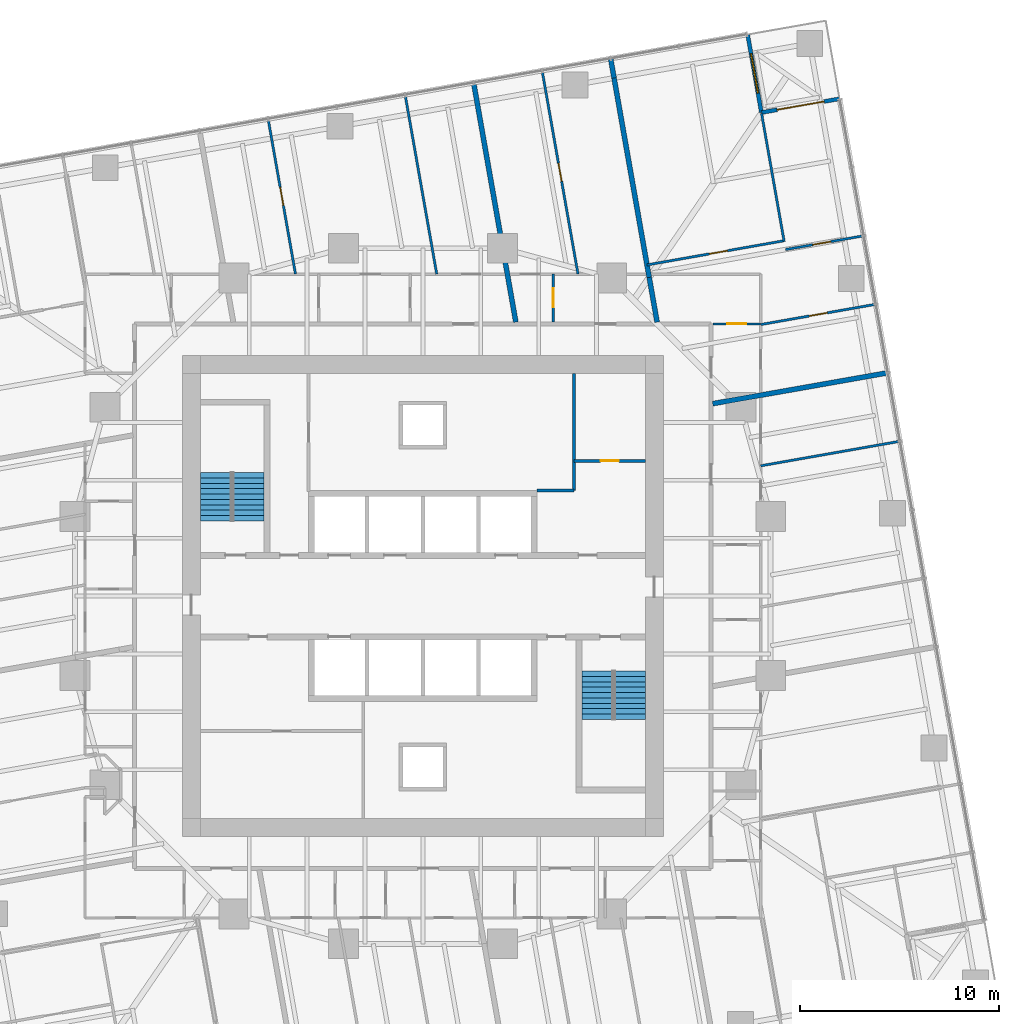
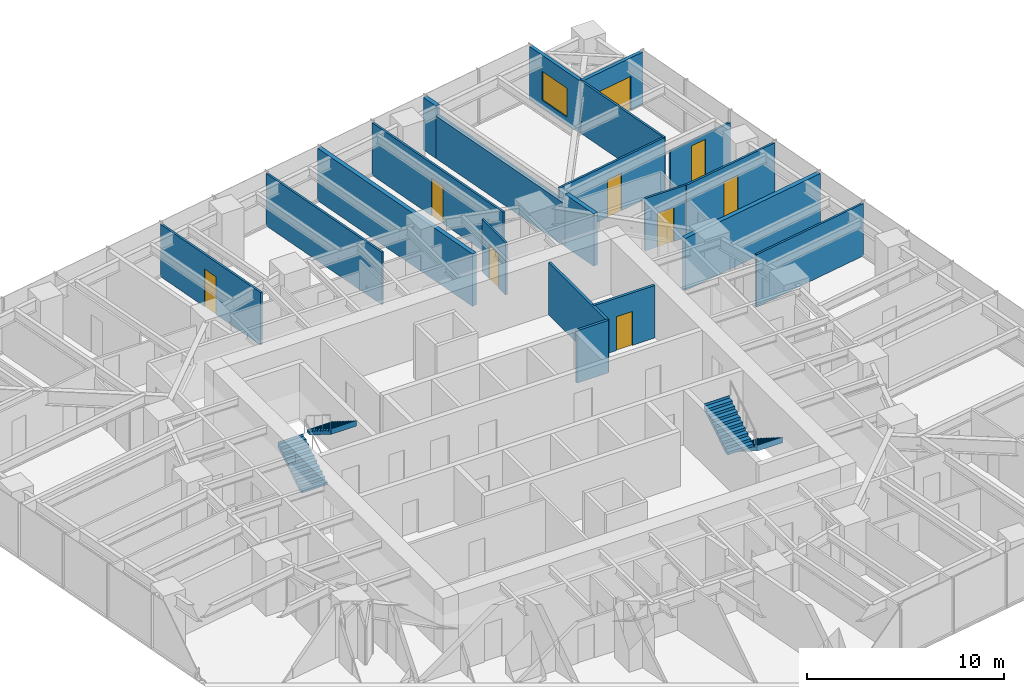
# One storey, part 13 of 14: 20 walls, 9 doors, 4 stair flights, 1 window, 10 openings, 2 elements without a shape of their own.
"""IFC4 building model written with IfcOpenShell, lengths in metres."""

from ifc_helpers import new_model, si_unit, direction, frame, frame_2d, origin, place, context, subcontext, project, spatial, polyline, rectangle, outline, extrude, material, layer, layer_set, type_object, element, fill, aggregate, save


model = new_model("IFC4")

# Units and contexts
model_context = context("Model", 3, precision=1e-05, world=origin(), true_north=direction((0.0, 1.0)))
body_context = subcontext(model_context, "Body", "Model", "MODEL_VIEW")
ifc_project = project(units=[si_unit("LENGTHUNIT", "METRE"), si_unit("AREAUNIT", "SQUARE_METRE"), si_unit("VOLUMEUNIT", "CUBIC_METRE"), si_unit("PLANEANGLEUNIT", "RADIAN"), si_unit("MASSUNIT", "GRAM", prefix="KILO")], contexts=[model_context])

# Site, building, storey
site_placement = place(None, origin())
site = spatial("IfcSite", under=ifc_project, at=site_placement, CompositionType="ELEMENT")
building_placement = place(site_placement, origin())
building = spatial("IfcBuilding", under=site, at=building_placement, Name="Torsade Residences", CompositionType="ELEMENT")
storey_placement = place(building_placement, frame((0.0, 0.0, 89.60009765625)))
storey = spatial("IfcBuildingStorey", under=building, at=storey_placement, Name="L24", CompositionType="ELEMENT", Elevation=89.60009765625)

# Wall
ifc_material_1 = material(Name="Plasterboard on steel stud", Category="steel")
ifc_layer_1 = layer(ifc_material_1, 0.1201171875)
ifc_layer_set_1 = layer_set([ifc_layer_1], Name="Plasterboard on steel stud")
wall_type_1 = type_object("IfcWallType", Name="PARTITION 120", PredefinedType="PARTITIONING", material=ifc_layer_set_1)
wall_1_placement = place(storey_placement, frame((57.0, 36.551513671875, 0.0), z_axis=(0.0, 0.0, 1.0), x_axis=(0.984809234282, 0.173639776761, 0.0)))
element("IfcWall", 1, at=wall_1_placement, inside=storey, type_object=wall_type_1, Name="Partition L24", PredefinedType="PARTITIONING", context=body_context, shape_type="SweptSolid", body=[
    extrude(rectangle(XDim=7.080810546875, YDim=0.1201171875, at=frame_2d((3.54052734375, 0.0))), origin(), (0.0, 0.0, 1.0), 3.25),
])

# Wall, opening, door
wall_2_placement = place(storey_placement, frame((54.60009765625, 43.68896484375, 0.0), z_axis=(0.0, 0.0, 1.0), x_axis=(1.0, 0.0, 0.0)))
wall_2 = element("IfcWall", 2, at=wall_2_placement, inside=storey, type_object=wall_type_1, Name="Partition L24", PredefinedType="PARTITIONING", context=body_context, shape_type="SweptSolid", body=[
    extrude(rectangle(XDim=2.39990234375, YDim=0.1201171875, at=frame_2d((1.199951171875, 0.0))), origin(), (0.0, 0.0, 1.0), 3.25),
])
opening_1_placement = place(wall_2_placement, frame((0.719970703125, 0.0, 0.0)))
opening_1 = element("IfcOpeningElement", 3, at=opening_1_placement, cuts=wall_2, Name="Opening D05", PredefinedType="OPENING", context=body_context, shape_type="SweptSolid", body=[
    extrude(rectangle(XDim=0.9599609375, YDim=2.10009765625, at=frame_2d((0.47998046875, 1.050048828125))), frame((0.0, 0.070068359375, 0.0), z_axis=(0.0, -1.0, 0.0), x_axis=(1.0, 0.0, 0.0)), (0.0, 0.0, 1.0), 0.14013671875),
])
ifc_material_2 = material(Name="Hollow-core timber door in a steel cavity frame", Category="steel")
door_type_1 = type_object("IfcDoorType", Name="BATHROOM CAVITY SLIDING DOOR 960", OperationType="SLIDING_TO_LEFT", PredefinedType="DOOR", material=ifc_material_2)
door_1_placement = place(opening_1_placement, origin())
door_1 = element("IfcDoor", 4, at=door_1_placement, inside=storey, type_object=door_type_1, Name="Door Kitchen and dining to Bathroom", OperationType="SLIDING_TO_LEFT", OverallHeight=2.10009765625, OverallWidth=0.9599609375, PredefinedType="DOOR", context=body_context, shape_type="SweptSolid", body=[
    extrude(rectangle(XDim=0.9599609375, YDim=2.10009765625, at=frame_2d((0.47998046875, 1.050048828125))), frame((0.0, 0.02490234375, 0.0), z_axis=(0.0, -1.0, 0.0), x_axis=(1.0, 0.0, 0.0)), (0.0, 0.0, 1.0), 0.050048828125),
])
fill(opening_1, door_1)

# Wall
wall_3_placement = place(storey_placement, frame((57.041259765625, 54.2880859375, 0.0), z_axis=(0.0, 0.0, 1.0), x_axis=(0.173657751636, -0.984806064815, 0.0)))
element("IfcWall", 5, at=wall_3_placement, inside=storey, type_object=wall_type_1, Name="Partition L24", PredefinedType="PARTITIONING", context=body_context, shape_type="SweptSolid", body=[
    extrude(rectangle(XDim=6.550048828125, YDim=0.1201171875, at=frame_2d((3.27490234375, 0.0))), origin(), (0.0, 0.0, 1.0), 3.25),
])

# Wall, opening, door
wall_4_placement = place(storey_placement, frame((58.171630859375, 47.877197265625, 0.0), z_axis=(0.0, 0.0, 1.0), x_axis=(-0.984806372973, -0.173656004074, 0.0)))
wall_4 = element("IfcWall", 6, at=wall_4_placement, inside=storey, type_object=wall_type_1, Name="Partition L24", PredefinedType="PARTITIONING", context=body_context, shape_type="SweptSolid", body=[
    extrude(rectangle(XDim=7.0, YDim=0.1201171875, at=frame_2d((3.5, 0.0))), origin(), (0.0, 0.0, 1.0), 3.25),
])
opening_2_placement = place(wall_4_placement, frame((2.889892578125, 0.0, 0.0)))
opening_2 = element("IfcOpeningElement", 7, at=opening_2_placement, cuts=wall_4, Name="Opening D02", PredefinedType="OPENING", context=body_context, shape_type="SweptSolid", body=[
    extrude(rectangle(XDim=0.919921875, YDim=2.340087890625, at=frame_2d((0.4599609375, 1.169921875))), frame((0.0, 0.070068359375, 0.0), z_axis=(0.0, -1.0, 0.0), x_axis=(1.0, 0.0, 0.0)), (0.0, 0.0, 1.0), 0.14013671875),
])
ifc_material_3 = material(Name="Hollow-core timber door", Category="wood")
door_type_2 = type_object("IfcDoorType", Name="INTERNAL DOOR 920x2340", OperationType="NOTDEFINED", PredefinedType="DOOR", material=ifc_material_3)
door_2_placement = place(opening_2_placement, origin())
door_2 = element("IfcDoor", 8, at=door_2_placement, inside=storey, type_object=door_type_2, Name="Door Bedroom 2 to Living room", OperationType="SINGLE_SWING_RIGHT", OverallHeight=2.340087890625, OverallWidth=0.919921875, PredefinedType="DOOR", context=body_context, shape_type="SweptSolid", body=[
    extrude(rectangle(XDim=0.919921875, YDim=2.340087890625, at=frame_2d((0.4599609375, 1.169921875))), frame((0.0, 0.02490234375, 0.0), z_axis=(0.0, -1.0, 0.0), x_axis=(1.0, 0.0, 0.0)), (0.0, 0.0, 1.0), 0.050048828125),
])
fill(opening_2, door_2)

wall_5_placement = place(storey_placement, frame((62.149658203125, 48.12158203125, 0.0), z_axis=(0.0, 0.0, 1.0), x_axis=(-0.984804033163, -0.173669272657, 0.0)))
wall_5 = element("IfcWall", 9, at=wall_5_placement, inside=storey, type_object=wall_type_1, Name="Partition L24", PredefinedType="PARTITIONING", context=body_context, shape_type="SweptSolid", body=[
    extrude(rectangle(XDim=3.9599609375, YDim=0.1201171875, at=frame_2d((1.97998046875, 0.0))), origin(), (0.0, 0.0, 1.0), 2.637939453125),
])
opening_3_placement = place(wall_5_placement, frame((1.64990234375, 0.0, 0.0)))
opening_3 = element("IfcOpeningElement", 10, at=opening_3_placement, cuts=wall_5, Name="Opening D02", PredefinedType="OPENING", context=body_context, shape_type="SweptSolid", body=[
    extrude(rectangle(XDim=0.919921875, YDim=2.340087890625, at=frame_2d((0.4599609375, 1.169921875))), frame((0.0, 0.070068359375, 0.0), z_axis=(0.0, -1.0, 0.0), x_axis=(1.0, 0.0, 0.0)), (0.0, 0.0, 1.0), 0.14013671875),
])
door_3_placement = place(opening_3_placement, origin())
door_3 = element("IfcDoor", 11, at=door_3_placement, inside=storey, type_object=door_type_2, Name="Door Bedroom 2 to Bedroom 1", OperationType="SINGLE_SWING_LEFT", OverallHeight=2.340087890625, OverallWidth=0.919921875, PredefinedType="DOOR", context=body_context, shape_type="SweptSolid", body=[
    extrude(rectangle(XDim=0.919921875, YDim=2.340087890625, at=frame_2d((0.4599609375, 1.169921875))), frame((0.0, 0.02490234375, 0.0), z_axis=(0.0, -1.0, 0.0), x_axis=(1.0, 0.0, 0.0)), (0.0, 0.0, 1.0), 0.050048828125),
])
fill(opening_3, door_3)

wall_6_placement = place(storey_placement, frame((62.757568359375, 44.6748046875, 0.0), z_axis=(0.0, 0.0, 1.0), x_axis=(-0.984810032319, -0.173635250578, 0.0)))
wall_6 = element("IfcWall", 12, at=wall_6_placement, inside=storey, type_object=wall_type_1, Name="Partition L24", PredefinedType="PARTITIONING", context=body_context, shape_type="SweptSolid", body=[
    extrude(rectangle(XDim=5.846435546875, YDim=0.1201171875, at=frame_2d((2.92333984375, 0.0))), origin(), (0.0, 0.0, 1.0), 3.25),
])
opening_4_placement = place(wall_6_placement, frame((2.443115234375, 0.0, 0.0)))
opening_4 = element("IfcOpeningElement", 13, at=opening_4_placement, cuts=wall_6, Name="Opening D02", PredefinedType="OPENING", context=body_context, shape_type="SweptSolid", body=[
    extrude(rectangle(XDim=0.919921875, YDim=2.340087890625, at=frame_2d((0.4599609375, 1.169921875))), frame((0.0, 0.070068359375, 0.0), z_axis=(0.0, -1.0, 0.0), x_axis=(1.0, 0.0, 0.0)), (0.0, 0.0, 1.0), 0.14013671875),
])
door_4_placement = place(opening_4_placement, origin())
door_4 = element("IfcDoor", 14, at=door_4_placement, inside=storey, type_object=door_type_2, Name="Door Study to Bedroom 2", OperationType="SINGLE_SWING_RIGHT", OverallHeight=2.340087890625, OverallWidth=0.919921875, PredefinedType="DOOR", context=body_context, shape_type="SweptSolid", body=[
    extrude(rectangle(XDim=0.919921875, YDim=2.340087890625, at=frame_2d((0.4599609375, 1.169921875))), frame((0.0, 0.02490234375, 0.0), z_axis=(0.0, -1.0, 0.0), x_axis=(1.0, 0.0, 0.0)), (0.0, 0.0, 1.0), 0.050048828125),
])
fill(opening_4, door_4)

wall_7_placement = place(storey_placement, frame((46.5673828125, 43.800048828125, 0.0), z_axis=(0.0, 0.0, 1.0), x_axis=(0.0, 1.0, 0.0)))
wall_7 = element("IfcWall", 15, at=wall_7_placement, inside=storey, type_object=wall_type_1, Name="Partition L24", PredefinedType="PARTITIONING", context=body_context, shape_type="SweptSolid", body=[
    extrude(rectangle(XDim=2.39990234375, YDim=0.1201171875, at=frame_2d((1.199951171875, 0.0))), origin(), (0.0, 0.0, 1.0), 3.25),
])
opening_5_placement = place(wall_7_placement, frame((0.719970703125, 0.0, 0.0)))
opening_5 = element("IfcOpeningElement", 16, at=opening_5_placement, cuts=wall_7, Name="Opening D05", PredefinedType="OPENING", context=body_context, shape_type="SweptSolid", body=[
    extrude(rectangle(XDim=0.9599609375, YDim=2.10009765625, at=frame_2d((0.47998046875, 1.050048828125))), frame((0.0, 0.070068359375, 0.0), z_axis=(0.0, -1.0, 0.0), x_axis=(1.0, 0.0, 0.0)), (0.0, 0.0, 1.0), 0.14013671875),
])
door_5_placement = place(opening_5_placement, origin())
door_5 = element("IfcDoor", 17, at=door_5_placement, inside=storey, type_object=door_type_1, Name="Door Kitchen and dining to Bathroom", OperationType="SLIDING_TO_LEFT", OverallHeight=2.10009765625, OverallWidth=0.9599609375, PredefinedType="DOOR", context=body_context, shape_type="SweptSolid", body=[
    extrude(rectangle(XDim=0.9599609375, YDim=2.10009765625, at=frame_2d((0.47998046875, 1.050048828125))), frame((0.0, 0.02490234375, 0.0), z_axis=(0.0, -1.0, 0.0), x_axis=(1.0, 0.0, 0.0)), (0.0, 0.0, 1.0), 0.050048828125),
])
fill(opening_5, door_5)

wall_8_placement = place(storey_placement, frame((47.805419921875, 46.199951171875, 0.0), z_axis=(0.0, 0.0, 1.0), x_axis=(-0.173653605279, 0.984806795962, 0.0)))
wall_8 = element("IfcWall", 18, at=wall_8_placement, inside=storey, type_object=wall_type_1, Name="Partition L24", PredefinedType="PARTITIONING", context=body_context, shape_type="SweptSolid", body=[
    extrude(rectangle(XDim=10.361572265625, YDim=0.1201171875, at=frame_2d((5.1806640625, 0.0))), origin(), (0.0, 0.0, 1.0), 3.25),
])
opening_6_placement = place(wall_8_placement, frame((4.74072265625, 0.0, 0.0)))
opening_6 = element("IfcOpeningElement", 19, at=opening_6_placement, cuts=wall_8, Name="Opening D02", PredefinedType="OPENING", context=body_context, shape_type="SweptSolid", body=[
    extrude(rectangle(XDim=0.919921875, YDim=2.340087890625, at=frame_2d((0.4599609375, 1.169921875))), frame((0.0, 0.070068359375, 0.0), z_axis=(0.0, -1.0, 0.0), x_axis=(1.0, 0.0, 0.0)), (0.0, 0.0, 1.0), 0.14013671875),
])
door_6_placement = place(opening_6_placement, origin())
door_6 = element("IfcDoor", 20, at=door_6_placement, inside=storey, type_object=door_type_2, Name="Door Bedroom 1 to Living room", OperationType="SINGLE_SWING_LEFT", OverallHeight=2.340087890625, OverallWidth=0.919921875, PredefinedType="DOOR", context=body_context, shape_type="SweptSolid", body=[
    extrude(rectangle(XDim=0.919921875, YDim=2.340087890625, at=frame_2d((0.4599609375, 1.169921875))), frame((0.0, 0.02490234375, 0.0), z_axis=(0.0, -1.0, 0.0), x_axis=(1.0, 0.0, 0.0)), (0.0, 0.0, 1.0), 0.050048828125),
])
fill(opening_6, door_6)

# Wall
wall_9_placement = place(storey_placement, frame((39.112548828125, 55.1884765625, 0.0), z_axis=(0.0, 0.0, 1.0), x_axis=(0.173652576186, -0.984806977424, 0.0)))
element("IfcWall", 21, at=wall_9_placement, inside=storey, type_object=wall_type_1, Name="Partition L24", PredefinedType="PARTITIONING", context=body_context, shape_type="SweptSolid", body=[
    extrude(rectangle(XDim=9.127197265625, YDim=0.1201171875, at=frame_2d((4.5634765625, 0.0))), origin(), (0.0, 0.0, 1.0), 3.25),
])

# Wall, opening, door
wall_10_placement = place(storey_placement, frame((33.589599609375, 46.199951171875, 0.0), z_axis=(0.0, 0.0, 1.0), x_axis=(-0.173645935638, 0.98480814834, 0.0)))
wall_10 = element("IfcWall", 22, at=wall_10_placement, inside=storey, type_object=wall_type_1, Name="Partition L24", PredefinedType="PARTITIONING", context=body_context, shape_type="SweptSolid", body=[
    extrude(rectangle(XDim=7.89306640625, YDim=0.1201171875, at=frame_2d((3.946533203125, 0.0))), origin(), (0.0, 0.0, 1.0), 3.25),
])
opening_7_placement = place(wall_10_placement, frame((3.506591796875, 0.0, 0.0)))
opening_7 = element("IfcOpeningElement", 23, at=opening_7_placement, cuts=wall_10, Name="Opening D02", PredefinedType="OPENING", context=body_context, shape_type="SweptSolid", body=[
    extrude(rectangle(XDim=0.919921875, YDim=2.340087890625, at=frame_2d((0.4599609375, 1.169921875))), frame((0.0, 0.070068359375, 0.0), z_axis=(0.0, -1.0, 0.0), x_axis=(1.0, 0.0, 0.0)), (0.0, 0.0, 1.0), 0.14013671875),
])
door_7_placement = place(opening_7_placement, origin())
door_7 = element("IfcDoor", 24, at=door_7_placement, inside=storey, type_object=door_type_2, Name="Door Living room to Bedroom 2", OperationType="SINGLE_SWING_RIGHT", OverallHeight=2.340087890625, OverallWidth=0.919921875, PredefinedType="DOOR", context=body_context, shape_type="SweptSolid", body=[
    extrude(rectangle(XDim=0.919921875, YDim=2.340087890625, at=frame_2d((0.4599609375, 1.169921875))), frame((0.0, 0.02490234375, 0.0), z_axis=(0.0, -1.0, 0.0), x_axis=(1.0, 0.0, 0.0)), (0.0, 0.0, 1.0), 0.050048828125),
])
fill(opening_7, door_7)

# Walls
ifc_material_4 = material(Name="Masonry-lined stud party wall", Category="masonry")
ifc_layer_2 = layer(ifc_material_4, 0.25)
ifc_layer_set_2 = layer_set([ifc_layer_2], Name="Masonry-lined stud party wall")
wall_type_2 = type_object("IfcWallType", Name="PARTY WALL 250", PredefinedType="PARTITIONING", material=ifc_layer_set_2)
wall_11_placement = place(storey_placement, frame((63.404541015625, 41.23486328125, 0.0), z_axis=(0.0, 0.0, 1.0), x_axis=(-0.984806596137, -0.173654738504, 0.0)))
element("IfcWall", 25, at=wall_11_placement, inside=storey, type_object=wall_type_2, Name="Party wall L24", PredefinedType="PARTITIONING", context=body_context, shape_type="SweptSolid", body=[
    extrude(rectangle(XDim=8.958251953125, YDim=0.25, at=frame_2d((4.47900390625, 0.0))), origin(), (0.0, 0.0, 1.0), 3.25),
])
wall_12_placement = place(storey_placement, frame((42.552490234375, 55.835693359375, 0.0), z_axis=(0.0, 0.0, 1.0), x_axis=(0.173639677872, -0.984809251718, 0.0)))
element("IfcWall", 26, at=wall_12_placement, inside=storey, type_object=wall_type_2, Name="Party wall L24", PredefinedType="PARTITIONING", context=body_context, shape_type="SweptSolid", body=[
    extrude(rectangle(XDim=12.239501953125, YDim=0.25, at=frame_2d((6.11962890625, 0.0))), origin(), (0.0, 0.0, 1.0), 3.25),
])
wall_13_placement = place(storey_placement, frame((49.446044921875, 57.05126953125, 0.0), z_axis=(0.0, 0.0, 1.0), x_axis=(0.173813186416, -0.984778643263, 0.0)))
element("IfcWall", 27, at=wall_13_placement, inside=storey, type_object=wall_type_2, Name="Party wall L24", PredefinedType="PARTITIONING", context=body_context, shape_type="SweptSolid", body=[
    extrude(rectangle(XDim=1.0, YDim=0.25, at=frame_2d((0.5, 0.0))), origin(), (0.0, 0.0, 1.0), 3.25),
])
wall_14_placement = place(storey_placement, frame((49.619873046875, 56.06640625, 0.0), z_axis=(0.0, 0.0, 1.0), x_axis=(0.173644522411, -0.984808397525, 0.0)))
element("IfcWall", 28, at=wall_14_placement, inside=storey, type_object=wall_type_2, Name="Party wall L24", PredefinedType="PARTITIONING", context=body_context, shape_type="SweptSolid", body=[
    extrude(rectangle(XDim=10.187744140625, YDim=0.25, at=frame_2d((5.09375, 0.0))), origin(), (0.0, 0.0, 1.0), 2.637939453125),
])
wall_15_placement = place(storey_placement, frame((51.388916015625, 46.033447265625, 0.0), z_axis=(0.0, 0.0, 1.0), x_axis=(0.173657387043, -0.984806129106, 0.0)))
element("IfcWall", 29, at=wall_15_placement, inside=storey, type_object=wall_type_2, Name="Party wall L24", PredefinedType="PARTITIONING", context=body_context, shape_type="SweptSolid", body=[
    extrude(rectangle(XDim=2.285888671875, YDim=0.25, at=frame_2d((1.14306640625, 0.0))), origin(), (0.0, 0.0, 1.0), 3.25),
])
ifc_material_5 = material(Name="Reinforced blockwork", Category="masonry")
ifc_layer_3 = layer(ifc_material_5, 0.14990234375)
ifc_layer_set_3 = layer_set([ifc_layer_3], Name="Reinforced blockwork")
wall_type_3 = type_object("IfcWallType", Name="SERVICE ROOM WALL 150", PredefinedType="SOLIDWALL", material=ifc_layer_set_3)
wall_16_placement = place(storey_placement, frame((47.60009765625, 41.199951171875, 0.0), z_axis=(0.0, 0.0, 1.0), x_axis=(0.0, -1.0, 0.0)))
element("IfcWall", 30, at=wall_16_placement, inside=storey, type_object=wall_type_3, Name="Service room wall L24", PredefinedType="SOLIDWALL", context=body_context, shape_type="SweptSolid", body=[
    extrude(rectangle(XDim=5.89990234375, YDim=0.14990234375, at=frame_2d((2.949951171875, 0.0))), origin(), (0.0, 0.0, 1.0), 3.25),
])
wall_17_placement = place(storey_placement, frame((47.60009765625, 35.300048828125, 0.0), z_axis=(0.0, 0.0, 1.0), x_axis=(-1.0, 0.0, 0.0)))
element("IfcWall", 31, at=wall_17_placement, inside=storey, type_object=wall_type_3, Name="Service room wall L24", PredefinedType="SOLIDWALL", context=body_context, shape_type="SweptSolid", body=[
    extrude(rectangle(XDim=1.85009765625, YDim=0.14990234375, at=frame_2d((0.925048828125, 0.0))), origin(), (0.0, 0.0, 1.0), 3.25),
])

# Wall, opening, door
wall_18_placement = place(storey_placement, frame((47.60009765625, 36.800048828125, 0.0), z_axis=(0.0, 0.0, 1.0), x_axis=(1.0, 0.0, 0.0)))
wall_18 = element("IfcWall", 32, at=wall_18_placement, inside=storey, type_object=wall_type_3, Name="Service room wall L24", PredefinedType="SOLIDWALL", context=body_context, shape_type="SweptSolid", body=[
    extrude(rectangle(XDim=3.599853515625, YDim=0.14990234375, at=frame_2d((1.7998046875, 0.0))), origin(), (0.0, 0.0, 1.0), 3.25),
])
opening_8_placement = place(wall_18_placement, frame((1.340087890625, 0.0, 0.0)))
opening_8 = element("IfcOpeningElement", 33, at=opening_8_placement, cuts=wall_18, Name="Opening D06", PredefinedType="OPENING", context=body_context, shape_type="SweptSolid", body=[
    extrude(rectangle(XDim=0.919921875, YDim=2.10009765625, at=frame_2d((0.4599609375, 1.050048828125))), frame((0.0, 0.0849609375, 0.0), z_axis=(0.0, -1.0, 0.0), x_axis=(1.0, 0.0, 0.0)), (0.0, 0.0, 1.0), 0.169921875),
])
ifc_material_6 = material(Name="Steel-framed fire door", Category="steel")
door_type_3 = type_object("IfcDoorType", Name="FIRE DOOR 920", OperationType="NOTDEFINED", PredefinedType="DOOR", material=ifc_material_6)
door_8_placement = place(opening_8_placement, origin())
door_8 = element("IfcDoor", 34, at=door_8_placement, inside=storey, type_object=door_type_3, Name="Door Refuse room to Recycling room", OperationType="SINGLE_SWING_LEFT", OverallHeight=2.10009765625, OverallWidth=0.919921875, PredefinedType="DOOR", context=body_context, shape_type="SweptSolid", body=[
    extrude(rectangle(XDim=0.919921875, YDim=2.10009765625, at=frame_2d((0.4599609375, 1.050048828125))), frame((0.0, 0.02490234375, 0.0), z_axis=(0.0, -1.0, 0.0), x_axis=(1.0, 0.0, 0.0)), (0.0, 0.0, 1.0), 0.050048828125),
])
fill(opening_8, door_8)

ifc_material_7 = material(Name="Stone-faced precast concrete 40 MPa panel", Category="masonry")
ifc_layer_4 = layer(ifc_material_7, 0.199951171875)
ifc_layer_set_4 = layer_set([ifc_layer_4], Name="Stone-faced precast concrete 40 MPa panel")
wall_type_4 = type_object("IfcWallType", Name="TERRACE WALL 200", PredefinedType="SOLIDWALL", material=ifc_layer_set_4)
wall_19_placement = place(storey_placement, frame((60.9736328125, 55.022216796875, 0.0), z_axis=(0.0, 0.0, 1.0), x_axis=(-0.984808127031, -0.173646056486, 0.0)))
wall_19 = element("IfcWall", 35, at=wall_19_placement, inside=storey, type_object=wall_type_4, Name="Terrace wall L24 5", PredefinedType="SOLIDWALL", context=body_context, shape_type="SweptSolid", body=[
    extrude(rectangle(XDim=4.0, YDim=0.199951171875, at=frame_2d((2.0, 0.0))), origin(), (0.0, 0.0, 1.0), 3.25),
])
opening_9_placement = place(wall_19_placement, frame((0.800048828125, 0.0, 0.0)))
opening_9 = element("IfcOpeningElement", 36, at=opening_9_placement, cuts=wall_19, Name="Opening D10A", PredefinedType="OPENING", context=body_context, shape_type="SweptSolid", body=[
    extrude(rectangle(XDim=2.39990234375, YDim=2.10009765625, at=frame_2d((1.199951171875, 1.050048828125))), frame((0.0, 0.10986328125, 0.0), z_axis=(0.0, -1.0, 0.0), x_axis=(1.0, 0.0, 0.0)), (0.0, 0.0, 1.0), 0.219970703125),
])
ifc_material_8 = material(Name="Aluminium-framed glass door", Category="aluminium")
door_type_4 = type_object("IfcDoorType", Name="TERRACE SLIDING DOOR 2400x2100", OperationType="SLIDING_TO_LEFT", PredefinedType="DOOR", material=ifc_material_8)
door_9_placement = place(opening_9_placement, origin())
door_9 = element("IfcDoor", 37, at=door_9_placement, inside=storey, type_object=door_type_4, Name="Terrace door L24 5", OperationType="SLIDING_TO_LEFT", OverallHeight=2.10009765625, OverallWidth=2.39990234375, PredefinedType="DOOR", context=body_context, shape_type="SweptSolid", body=[
    extrude(rectangle(XDim=2.39990234375, YDim=2.10009765625, at=frame_2d((1.199951171875, 1.050048828125))), frame((0.0, 0.02490234375, 0.0), z_axis=(0.0, -1.0, 0.0), x_axis=(1.0, 0.0, 0.0)), (0.0, 0.0, 1.0), 0.050048828125),
])
fill(opening_9, door_9)

# Wall, opening, window
wall_20_placement = place(storey_placement, frame((57.034423828125, 54.32763671875, 0.0), z_axis=(0.0, 0.0, 1.0), x_axis=(-0.173646056486, 0.984808127031, 0.0)))
wall_20 = element("IfcWall", 38, at=wall_20_placement, inside=storey, type_object=wall_type_4, Name="Terrace wall L24 6", PredefinedType="SOLIDWALL", context=body_context, shape_type="SweptSolid", body=[
    extrude(rectangle(XDim=4.0, YDim=0.199951171875, at=frame_2d((2.0, 0.0))), origin(), (0.0, 0.0, 1.0), 3.25),
])
opening_10_placement = place(wall_20_placement, frame((1.0, 0.0, 0.449951171875)))
opening_10 = element("IfcOpeningElement", 39, at=opening_10_placement, cuts=wall_20, Name="Opening W1B", PredefinedType="OPENING", context=body_context, shape_type="SweptSolid", body=[
    extrude(rectangle(XDim=2.0, YDim=1.800048828125, at=frame_2d((1.0, 0.89990234375))), frame((0.0, 0.10986328125, 0.0), z_axis=(0.0, -1.0, 0.0), x_axis=(1.0, 0.0, 0.0)), (0.0, 0.0, 1.0), 0.219970703125),
])
ifc_material_9 = material(Name="Aluminium-framed glass window", Category="aluminium")
window_type = type_object("IfcWindowType", Name="TERRACE WINDOW 2000x1800", PartitioningType="SINGLE_PANEL", PredefinedType="WINDOW", material=ifc_material_9)
window_placement = place(opening_10_placement, origin())
window = element("IfcWindow", 40, at=window_placement, inside=storey, type_object=window_type, Name="Terrace window L24 6", OverallHeight=1.800048828125, OverallWidth=2.0, PartitioningType="SINGLE_PANEL", PredefinedType="WINDOW", context=body_context, shape_type="SweptSolid", body=[
    extrude(rectangle(XDim=2.0, YDim=1.800048828125, at=frame_2d((1.0, 0.89990234375))), frame((0.0, 0.030029296875, 0.0), z_axis=(0.0, -1.0, 0.0), x_axis=(1.0, 0.0, 0.0)), (0.0, 0.0, 1.0), 0.06005859375),
])
fill(opening_10, window)

# Stair, stair flights
ifc_material_10 = material(Name="Precast concrete 40 MPa", Category="concrete")
stair_type = type_object("IfcStairType", Name="HALF-TURN FIRE STAIR 1500x3400", PredefinedType="HALF_TURN_STAIR", material=ifc_material_10)
stair_1_placement = place(storey_placement, origin())
stair_1 = element("IfcStair", 41, at=stair_1_placement, inside=storey, type_object=stair_type, Name="Stair ST1 L24", PredefinedType="HALF_TURN_STAIR")
ifc_material_11 = material(Name="Precast concrete 40 MPa", Category="concrete")
stair_flight_type = type_object("IfcStairFlightType", Name="PRECAST STAIR FLIGHT 1500x1700", PredefinedType="STRAIGHT", material=ifc_material_11)
stair_flight_1_placement = place(storey_placement, frame((29.550048828125, 33.780029296875, 0.0), z_axis=(0.0, 0.0, 1.0), x_axis=(0.0, 1.0, 0.0)))
stair_flight_1 = element("IfcStairFlight", 42, at=stair_flight_1_placement, type_object=stair_flight_type, Name="ST1 flight 1", NumberOfRisers=10, NumberOfTreads=9, PredefinedType="STRAIGHT", RiserHeight=0.17, TreadLength=0.27, context=body_context, shape_type="SweptSolid", body=[
    extrude(outline(polyline([(0.0, 0.0), (0.0, 0.169921875), (0.27001953125, 0.169921875), (0.27001953125, 0.340087890625), (0.5400390625, 0.340087890625), (0.5400390625, 0.510009765625), (0.81005859375, 0.510009765625), (0.81005859375, 0.679931640625), (1.080078125, 0.679931640625), (1.080078125, 0.85009765625), (1.35009765625, 0.85009765625), (1.35009765625, 1.02001953125), (1.6201171875, 1.02001953125), (1.6201171875, 1.18994140625), (1.889892578125, 1.18994140625), (1.889892578125, 1.360107421875), (2.159912109375, 1.360107421875), (2.159912109375, 1.530029296875), (2.429931640625, 1.530029296875), (2.429931640625, 1.699951171875), (2.43994140625, 1.699951171875), (2.43994140625, 1.352783203125), (2.429931640625, 1.352783203125), (0.28125, 0.0), (0.0, 0.0)])), frame((0.0, 0.75, 0.0), z_axis=(0.0, -1.0, 0.0), x_axis=(1.0, 0.0, 0.0)), (0.0, 0.0, 1.0), 1.5),
])
stair_flight_2_placement = place(storey_placement, frame((31.25, 36.2099609375, 1.699951171875), z_axis=(0.0, 0.0, 1.0), x_axis=(0.0, -1.0, 0.0)))
stair_flight_2 = element("IfcStairFlight", 43, at=stair_flight_2_placement, type_object=stair_flight_type, Name="ST1 flight 2", NumberOfRisers=10, NumberOfTreads=9, PredefinedType="STRAIGHT", RiserHeight=0.17, TreadLength=0.27, context=body_context, shape_type="SweptSolid", body=[
    extrude(outline(polyline([(0.0, 0.0), (0.0, 0.169921875), (0.27001953125, 0.169921875), (0.27001953125, 0.340087890625), (0.5400390625, 0.340087890625), (0.5400390625, 0.510009765625), (0.81005859375, 0.510009765625), (0.81005859375, 0.679931640625), (1.080078125, 0.679931640625), (1.080078125, 0.85009765625), (1.35009765625, 0.85009765625), (1.35009765625, 1.02001953125), (1.6201171875, 1.02001953125), (1.6201171875, 1.18994140625), (1.889892578125, 1.18994140625), (1.889892578125, 1.360107421875), (2.159912109375, 1.360107421875), (2.159912109375, 1.530029296875), (2.429931640625, 1.530029296875), (2.429931640625, 1.699951171875), (2.43994140625, 1.699951171875), (2.43994140625, 1.352783203125), (2.429931640625, 1.352783203125), (0.28125, 0.0), (0.0, 0.0)])), frame((0.0, 0.75, 0.0), z_axis=(0.0, -1.0, 0.0), x_axis=(1.0, 0.0, 0.0)), (0.0, 0.0, 1.0), 1.5),
])
aggregate(stair_1, [stair_flight_1, stair_flight_2])

stair_2_placement = place(storey_placement, origin())
stair_2 = element("IfcStair", 44, at=stair_2_placement, inside=storey, type_object=stair_type, Name="Stair ST2 L24", PredefinedType="HALF_TURN_STAIR")
stair_flight_3_placement = place(storey_placement, frame((50.449951171875, 26.219970703125, 0.0), z_axis=(0.0, 0.0, 1.0), x_axis=(0.0, -1.0, 0.0)))
stair_flight_3 = element("IfcStairFlight", 45, at=stair_flight_3_placement, type_object=stair_flight_type, Name="ST2 flight 1", NumberOfRisers=10, NumberOfTreads=9, PredefinedType="STRAIGHT", RiserHeight=0.17, TreadLength=0.27, context=body_context, shape_type="SweptSolid", body=[
    extrude(outline(polyline([(0.0, 0.0), (0.0, 0.169921875), (0.27001953125, 0.169921875), (0.27001953125, 0.340087890625), (0.5400390625, 0.340087890625), (0.5400390625, 0.510009765625), (0.81005859375, 0.510009765625), (0.81005859375, 0.679931640625), (1.080078125, 0.679931640625), (1.080078125, 0.85009765625), (1.35009765625, 0.85009765625), (1.35009765625, 1.02001953125), (1.6201171875, 1.02001953125), (1.6201171875, 1.18994140625), (1.889892578125, 1.18994140625), (1.889892578125, 1.360107421875), (2.159912109375, 1.360107421875), (2.159912109375, 1.530029296875), (2.429931640625, 1.530029296875), (2.429931640625, 1.699951171875), (2.43994140625, 1.699951171875), (2.43994140625, 1.352783203125), (2.429931640625, 1.352783203125), (0.28125, 0.0), (0.0, 0.0)])), frame((0.0, 0.75, 0.0), z_axis=(0.0, -1.0, 0.0), x_axis=(1.0, 0.0, 0.0)), (0.0, 0.0, 1.0), 1.5),
])
stair_flight_4_placement = place(storey_placement, frame((48.75, 23.7900390625, 1.699951171875), z_axis=(0.0, 0.0, 1.0), x_axis=(0.0, 1.0, 0.0)))
stair_flight_4 = element("IfcStairFlight", 46, at=stair_flight_4_placement, type_object=stair_flight_type, Name="ST2 flight 2", NumberOfRisers=10, NumberOfTreads=9, PredefinedType="STRAIGHT", RiserHeight=0.17, TreadLength=0.27, context=body_context, shape_type="SweptSolid", body=[
    extrude(outline(polyline([(0.0, 0.0), (0.0, 0.169921875), (0.27001953125, 0.169921875), (0.27001953125, 0.340087890625), (0.5400390625, 0.340087890625), (0.5400390625, 0.510009765625), (0.81005859375, 0.510009765625), (0.81005859375, 0.679931640625), (1.080078125, 0.679931640625), (1.080078125, 0.85009765625), (1.35009765625, 0.85009765625), (1.35009765625, 1.02001953125), (1.6201171875, 1.02001953125), (1.6201171875, 1.18994140625), (1.889892578125, 1.18994140625), (1.889892578125, 1.360107421875), (2.159912109375, 1.360107421875), (2.159912109375, 1.530029296875), (2.429931640625, 1.530029296875), (2.429931640625, 1.699951171875), (2.43994140625, 1.699951171875), (2.43994140625, 1.352783203125), (2.429931640625, 1.352783203125), (0.28125, 0.0), (0.0, 0.0)])), frame((0.0, 0.75, 0.0), z_axis=(0.0, -1.0, 0.0), x_axis=(1.0, 0.0, 0.0)), (0.0, 0.0, 1.0), 1.5),
])
aggregate(stair_2, [stair_flight_3, stair_flight_4])

save(model, "model.ifc")
